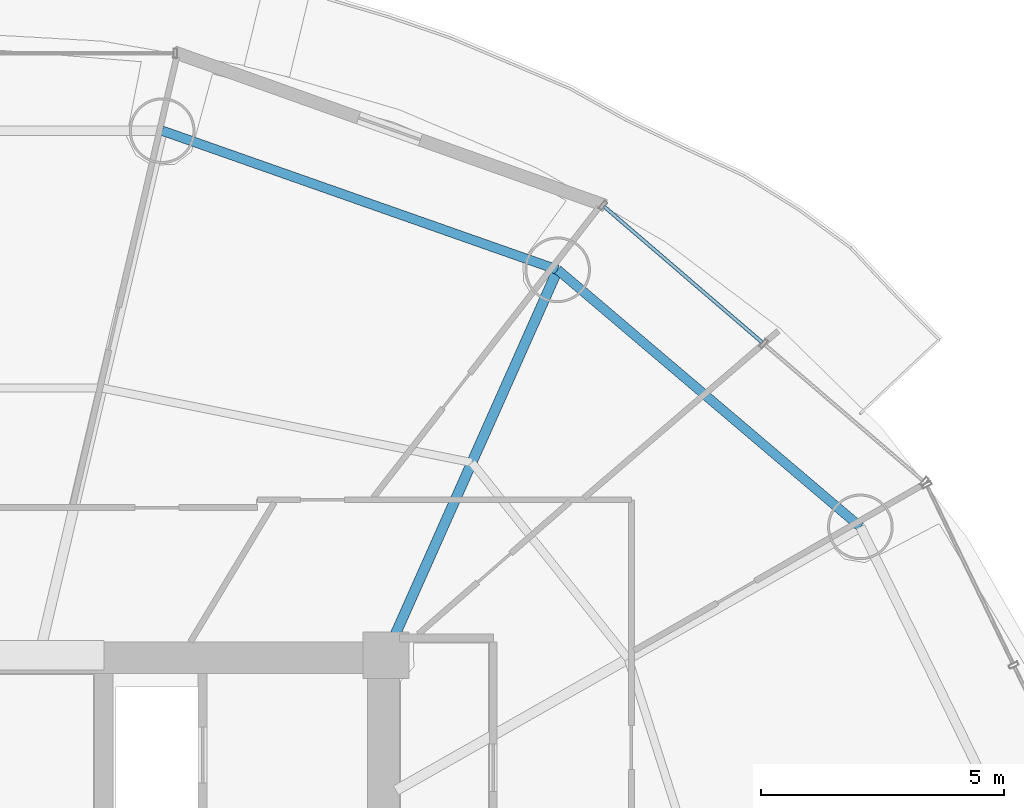
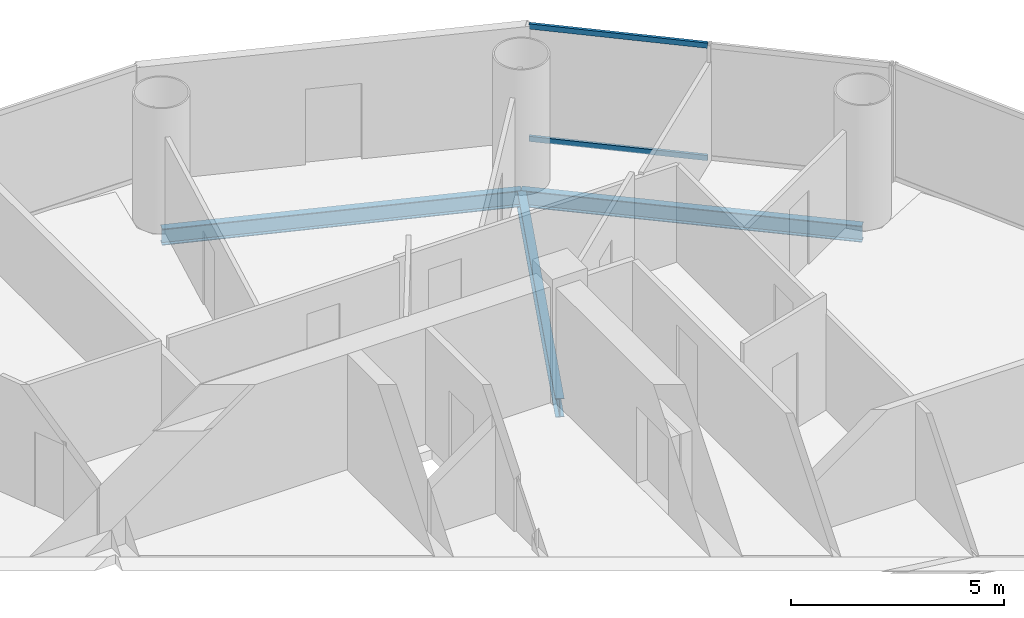
# One storey, part 18 of 27: 3 beams, 2 members, 1 element without a shape of its own.
"""IFC4 building model written with IfcOpenShell, lengths in metres."""

import ifcopenshell
import ifcopenshell.guid

model = None  # the IFC model being written
_history = None  # IfcOwnerHistory: only IFC2X3 demands one
_inside = {}  # id of a spatial element -> (the spatial element, [elements in it])
_under = {}  # id of a project, library or spatial element -> (it, [spatial elements below it])
_declared = {}  # id of a project -> (the project, [libraries it declares])
_typed = {}  # id of a type object -> (the type object, [elements of that type])
_made_of = {}  # id of a material, layer set ... -> (it, [elements and type objects made of it])


def new_model(schema):
    """Start an empty IFC model of exactly this schema.

    Asked for "IFC4X3", IfcOpenShell would pick the latest addendum, in which some entities
    have other attributes; the version numbers below select the first issue.
    IFC2X3 requires an IfcOwnerHistory on every rooted entity: one is made here for all.
    """
    global model, _history
    if schema == "IFC4X3":
        model = ifcopenshell.file(schema_version=(4, 3, 0, 0))
    else:
        model = ifcopenshell.file(schema=schema)
    _inside.clear()
    _under.clear()
    _declared.clear()
    _typed.clear()
    _made_of.clear()
    _history = None
    if model.schema == "IFC2X3":
        org = make("IfcOrganization", Name="unknown")
        user = make(
            "IfcPersonAndOrganization",
            ThePerson=make("IfcPerson", FamilyName="unknown"),
            TheOrganization=org,
        )
        app = make(
            "IfcApplication",
            ApplicationDeveloper=org,
            Version="unknown",
            ApplicationFullName="unknown",
            ApplicationIdentifier="unknown",
        )
        _history = make(
            "IfcOwnerHistory",
            OwningUser=user,
            OwningApplication=app,
            ChangeAction="ADDED",
            CreationDate=0,
        )
    return model


def make(cls, **values):
    """One entity of the class cls with the attributes given. An attribute that is None is left unset."""
    return model.create_entity(
        cls, **{name: value for name, value in values.items() if value is not None}
    )


def rooted(cls, **values):
    """An entity with a GlobalId (a new one), such as an element, a storey or a relation."""
    return make(cls, GlobalId=ifcopenshell.guid.new(), OwnerHistory=_history, **values)


def si_unit(unit_type, name, prefix=None):
    """IfcSIUnit, for example si_unit("LENGTHUNIT", "METRE", prefix="MILLI")."""
    return make("IfcSIUnit", UnitType=unit_type, Prefix=prefix, Name=name)


def assignment(units):
    """IfcUnitAssignment: the units of a project."""
    return None if units is None else make("IfcUnitAssignment", Units=units)


def point(xyz):
    """IfcCartesianPoint."""
    return None if xyz is None else make("IfcCartesianPoint", Coordinates=xyz)


def direction(xyz):
    """IfcDirection."""
    return None if xyz is None else make("IfcDirection", DirectionRatios=xyz)


def frame(location, z_axis=None, x_axis=None):
    """IfcAxis2Placement3D, a coordinate frame: its origin and axes. An axis left out is left unset."""
    return make(
        "IfcAxis2Placement3D",
        Location=point(location),
        Axis=direction(z_axis),
        RefDirection=direction(x_axis),
    )


def frame_2d(location, x_axis=None):
    """IfcAxis2Placement2D, a coordinate frame in the plane: its origin and x axis."""
    return make(
        "IfcAxis2Placement2D", Location=point(location), RefDirection=direction(x_axis)
    )


def origin():
    """The frame at (0, 0, 0) with its axes left unset."""
    return frame((0.0, 0.0, 0.0))


def origin_2d():
    """The frame at (0, 0) in the plane with its x axis left unset."""
    return frame_2d((0.0, 0.0))


def place(relative_to, where):
    """IfcLocalPlacement: puts the frame where relative to a parent placement (None: the world)."""
    return make(
        "IfcLocalPlacement", PlacementRelTo=relative_to, RelativePlacement=where
    )


def context(
    kind, dimensions, precision=None, world=None, true_north=None, identifier=None
):
    """IfcGeometricRepresentationContext, for example the 3D "Model" context."""
    return make(
        "IfcGeometricRepresentationContext",
        ContextIdentifier=identifier,
        ContextType=kind,
        CoordinateSpaceDimension=dimensions,
        Precision=precision,
        WorldCoordinateSystem=world,
        TrueNorth=true_north,
    )


def subcontext(parent, identifier, kind, view, scale=None):
    """IfcGeometricRepresentationSubContext, for example "Body" below "Model"."""
    return make(
        "IfcGeometricRepresentationSubContext",
        ContextIdentifier=identifier,
        ContextType=kind,
        ParentContext=parent,
        TargetScale=scale,
        TargetView=view,
    )


def project(units=None, contexts=None):
    """IfcProject with its units and contexts."""
    return rooted(
        "IfcProject",
        Name="project",
        RepresentationContexts=contexts,
        UnitsInContext=assignment(units),
    )


def spatial(cls, under=None, at=None, **own):
    """A site, building, storey or space (cls), placed at a placement, below another one or the project."""
    s = rooted(cls, ObjectPlacement=at, **own)
    if under is not None:
        _under.setdefault(under.id(), (under, []))[1].append(s)
    return s


def profile(cls, at=None, kind="AREA", **sizes):
    """A parametric profile (cls). Its sizes go by their IFC names, for example OverallWidth=200.0."""
    return make(cls, ProfileType=kind, Position=at, **sizes)


def hollow_rectangle(**sizes):
    """IfcRectangleHollowProfileDef."""
    return profile("IfcRectangleHollowProfileDef", **sizes)


def i_section(**sizes):
    """IfcIShapeProfileDef."""
    return profile("IfcIShapeProfileDef", **sizes)


def extrude(swept, where, along, depth):
    """IfcExtrudedAreaSolid: the profile swept, set in the frame where, extruded along a direction by depth."""
    return make(
        "IfcExtrudedAreaSolid",
        SweptArea=swept,
        Position=where,
        ExtrudedDirection=direction(along),
        Depth=depth,
    )


def shape(context_of_items, identifier, shape_type, items):
    """IfcShapeRepresentation: the items that make up one representation, for example the "Body"."""
    return make(
        "IfcShapeRepresentation",
        ContextOfItems=context_of_items,
        RepresentationIdentifier=identifier,
        RepresentationType=shape_type,
        Items=items,
    )


def source(mapping_origin, context_of_items, identifier, shape_type, items):
    """IfcRepresentationMap: a shape defined once, which mapped items show again and again."""
    return make(
        "IfcRepresentationMap",
        MappingOrigin=mapping_origin,
        MappedRepresentation=shape(context_of_items, identifier, shape_type, items),
    )


def transform(
    local_origin,
    x_axis=None,
    y_axis=None,
    z_axis=None,
    scale=None,
    scale2=None,
    scale3=None,
    uniform=True,
):
    """IfcCartesianTransformationOperator3D, or its non-uniform kind. x_axis, y_axis, z_axis: its Axis1, 2, 3."""
    if uniform:
        return make(
            "IfcCartesianTransformationOperator3D",
            Axis1=direction(x_axis),
            Axis2=direction(y_axis),
            LocalOrigin=point(local_origin),
            Scale=scale,
            Axis3=direction(z_axis),
        )
    return make(
        "IfcCartesianTransformationOperator3DnonUniform",
        Axis1=direction(x_axis),
        Axis2=direction(y_axis),
        LocalOrigin=point(local_origin),
        Scale=scale,
        Axis3=direction(z_axis),
        Scale2=scale2,
        Scale3=scale3,
    )


def mapped(mapping_source, mapping_target):
    """IfcMappedItem: shows the shape of a source again, moved by a transform."""
    return make(
        "IfcMappedItem", MappingSource=mapping_source, MappingTarget=mapping_target
    )


def material(Name=None, Category=None):
    """IfcMaterial."""
    return make("IfcMaterial", Name=Name, Category=Category)


def material_profile(
    of_material, cross_section, Name=None, Category=None, Priority=None
):
    """IfcMaterialProfile: a cross section and its material."""
    return make(
        "IfcMaterialProfile",
        Name=Name,
        Material=of_material,
        Profile=cross_section,
        Priority=Priority,
        Category=Category,
    )


def profile_set(profiles, Name=None, composite=None):
    """IfcMaterialProfileSet."""
    return make(
        "IfcMaterialProfileSet",
        Name=Name,
        MaterialProfiles=profiles,
        CompositeProfile=composite,
    )


def made_of(thing, what):
    """Note that an element or type object is made of a material, layer set ...; save() writes the relation."""
    if what is not None:
        _made_of.setdefault(what.id(), (what, []))[1].append(thing)
    return thing


def type_object(cls, material=None, **own):
    """A type object (cls), such as IfcWallType, which elements share."""
    return made_of(rooted(cls, **own), material)


def element(
    cls,
    number,
    at=None,
    inside=None,
    cuts=None,
    type_object=None,
    material=None,
    context=None,
    identifier="Body",
    shape_type=None,
    held_by="IfcProductDefinitionShape",
    body=None,
    shapes=None,
    **own,
):
    """One element of the class cls, such as IfcWall. Its Tag is "e" and its number.

    at: its placement. inside: the storey or other place that contains it. cuts: it is an
    opening in that element (IfcRelVoidsElement). A single representation is given by context,
    identifier, shape_type and body (its items); several are given by shapes. held_by: the class
    of the entity that holds the representations. save() writes the other relations.
    """
    e = rooted(cls, Tag="e%d" % number, ObjectPlacement=at, **own)
    if body is not None:
        shapes = [shape(context, identifier, shape_type, body)]
    if shapes is not None:
        e.Representation = make(held_by, Representations=shapes)
    if inside is not None:
        _inside.setdefault(inside.id(), (inside, []))[1].append(e)
    if cuts is not None:
        rooted(
            "IfcRelVoidsElement", RelatingBuildingElement=cuts, RelatedOpeningElement=e
        )
    if type_object is not None:
        _typed.setdefault(type_object.id(), (type_object, []))[1].append(e)
    return made_of(e, material)


def aggregate(whole, parts):
    """IfcRelAggregates: a whole, such as a stair, and the parts it consists of."""
    return rooted("IfcRelAggregates", RelatingObject=whole, RelatedObjects=parts)


def save(model, path):
    """Write the relations noted so far, then the file.

    IfcRelAggregates (storeys below a building ...), IfcRelContainedInSpatialStructure (elements
    in a storey), IfcRelDefinesByType, IfcRelAssociatesMaterial and IfcRelDeclares: one each for
    every whole, place, type object, material and project.
    """
    for whole, parts in _under.values():
        aggregate(whole, parts)
    for where, things in _inside.values():
        rooted(
            "IfcRelContainedInSpatialStructure",
            RelatedElements=things,
            RelatingStructure=where,
        )
    for kind, things in _typed.values():
        rooted("IfcRelDefinesByType", RelatedObjects=things, RelatingType=kind)
    for what, things in _made_of.values():
        rooted("IfcRelAssociatesMaterial", RelatedObjects=things, RelatingMaterial=what)
    for by, libraries in _declared.values():
        rooted("IfcRelDeclares", RelatingContext=by, RelatedDefinitions=libraries)
    model.write(path)


model = new_model("IFC4")

# Units and contexts
model_context = context("Model", 3, precision=1e-05, world=origin(), true_north=direction((-0.2419218956, 0.970295726276)))
body_context = subcontext(model_context, "Body", "Model", "MODEL_VIEW")
ifc_project = project(units=[si_unit("LENGTHUNIT", "METRE"), si_unit("AREAUNIT", "SQUARE_METRE"), si_unit("VOLUMEUNIT", "CUBIC_METRE"), si_unit("PLANEANGLEUNIT", "RADIAN"), si_unit("MASSUNIT", "GRAM", prefix="KILO")], contexts=[model_context])

# Site, building, storey
site_placement = place(None, origin())
site = spatial("IfcSite", under=ifc_project, at=site_placement, CompositionType="ELEMENT")
building_placement = place(site_placement, origin())
building = spatial("IfcBuilding", under=site, at=building_placement, Name="Cobrevalo Terracotta Tower", CompositionType="ELEMENT")
storey_placement = place(building_placement, frame((0.0, 0.0, 157.0)))
storey = spatial("IfcBuildingStorey", under=building, at=storey_placement, Name="L41", CompositionType="ELEMENT", Elevation=157.0)

# Beams
ifc_material_1 = material(Name="Steel S355", Category="steel")
ifc_material_profile_1 = material_profile(ifc_material_1, i_section(OverallWidth=0.2109375, OverallDepth=0.5390625, WebThickness=0.01171875, FlangeThickness=0.018798828125, at=origin_2d()), Name="W 530x109")
ifc_profile_set_1 = profile_set([ifc_material_profile_1], Name="Steel S355")
beam_type_1 = type_object("IfcBeamType", Name="Structural Beam W 530x109 (Steel S355)", PredefinedType="BEAM", material=ifc_profile_set_1)
beam_1_placement = place(storey_placement, frame((50.528076171875, 42.72265625, -0.53955078125), z_axis=(-0.406804395691, -0.913515289224, 0.0), x_axis=(0.913515289224, -0.406804395691, 0.0)))
element("IfcBeam", 1, at=beam_1_placement, inside=storey, type_object=beam_type_1, Name="L41 radial floor girder 03", PredefinedType="BEAM", context=body_context, shape_type="SweptSolid", body=[
    extrude(i_section(OverallWidth=0.2109375, OverallDepth=0.5390625, WebThickness=0.01171875, FlangeThickness=0.018798828125, at=origin_2d()), origin(), (0.0, 0.0, 1.0), 8.672607421875),
])
ifc_material_profile_2 = material_profile(ifc_material_1, i_section(OverallWidth=0.194091796875, OverallDepth=0.468994140625, WebThickness=0.011474609375, FlangeThickness=0.0205078125, at=origin_2d()), Name="W 460x106")
ifc_profile_set_2 = profile_set([ifc_material_profile_2], Name="Steel S355")
beam_type_2 = type_object("IfcBeamType", Name="Structural Spandrel W 460x106 (Steel S355)", PredefinedType="SPANDREL", material=ifc_profile_set_2)
beam_2_placement = place(storey_placement, frame((56.749755859375, 37.439208984375, -0.50439453125), z_axis=(-0.762240337798, 0.647294112003, 0.0), x_axis=(-0.647294112003, -0.762240337798, 0.0)))
element("IfcBeam", 2, at=beam_2_placement, inside=storey, type_object=beam_type_2, Name="L41 perimeter ring spandrel 02", PredefinedType="SPANDREL", context=body_context, shape_type="SweptSolid", body=[
    extrude(i_section(OverallWidth=0.194091796875, OverallDepth=0.468994140625, WebThickness=0.011474609375, FlangeThickness=0.0205078125, at=origin_2d()), origin(), (0.0, 0.0, 1.0), 8.162353515625),
])
beam_3_placement = place(storey_placement, frame((50.528076171875, 42.72265625, -0.50439453125), z_axis=(-0.943341298492, 0.331824041565, 0.0), x_axis=(-0.331824041565, -0.943341298492, 0.0)))
element("IfcBeam", 3, at=beam_3_placement, inside=storey, type_object=beam_type_2, Name="L41 perimeter ring spandrel 03", PredefinedType="SPANDREL", context=body_context, shape_type="SweptSolid", body=[
    extrude(i_section(OverallWidth=0.194091796875, OverallDepth=0.468994140625, WebThickness=0.011474609375, FlangeThickness=0.0205078125, at=origin_2d()), origin(), (0.0, 0.0, 1.0), 8.6171875),
])

# Curtain wall, members
ifc_material_2 = material(Name="Anodized aluminium", Category="aluminium")
curtain_wall_type = type_object("IfcCurtainWallType", Name="Mid-tower high-wind unitised curtain wall CW-U2", PredefinedType="NOTDEFINED", material=ifc_material_2)
curtain_wall_placement = place(storey_placement, origin())
curtain_wall = element("IfcCurtainWall", 4, at=curtain_wall_placement, inside=storey, type_object=curtain_wall_type, Name="L41 curtain wall CW-L41-S02", PredefinedType="NOTDEFINED")
ifc_material_profile_3 = material_profile(ifc_material_2, hollow_rectangle(XDim=0.074951171875, YDim=0.14990234375, WallThickness=0.00439453125, at=origin_2d()), Name="CWT 75x150")
ifc_profile_set_3 = profile_set([ifc_material_profile_3], Name="Anodized aluminium")
member_type = type_object("IfcMemberType", Name="Tower unitised aluminium transom 75x150", PredefinedType="USERDEFINED", material=ifc_profile_set_3)
shared_shape = source(origin(), body_context, "Body", "SweptSolid", [
    extrude(hollow_rectangle(XDim=0.074951171875, YDim=0.14990234375, WallThickness=0.00439453125, at=origin_2d()), origin(), (0.0, 0.0, 1.0), 4.276123046875),
])
member_1_placement = place(storey_placement, frame((54.73193359375, 41.23046875, 0.050048828125), z_axis=(-0.758417719247, 0.651768795764, 0.0), x_axis=(-0.651768795764, -0.758417719247, 0.0)))
member_1 = element("IfcMember", 5, at=member_1_placement, type_object=member_type, Name="CW-L41-S02 transom B02-T1", ObjectType="TRANSOM", PredefinedType="USERDEFINED", context=body_context, shape_type="MappedRepresentation", body=[
    mapped(shared_shape, transform((0.0, 0.0, 0.0), scale=1.0)),
])
member_2_placement = place(storey_placement, frame((54.73193359375, 41.23046875, 3.280029296875), z_axis=(-0.758417719247, 0.651768795764, 0.0), x_axis=(-0.651768795764, -0.758417719247, 0.0)))
member_2 = element("IfcMember", 6, at=member_2_placement, type_object=member_type, Name="CW-L41-S02 transom B02-T2", ObjectType="TRANSOM", PredefinedType="USERDEFINED", context=body_context, shape_type="MappedRepresentation", body=[
    mapped(shared_shape, transform((0.0, 0.0, 0.0), scale=1.0)),
])
aggregate(curtain_wall, [member_1, member_2])

save(model, "model.ifc")
